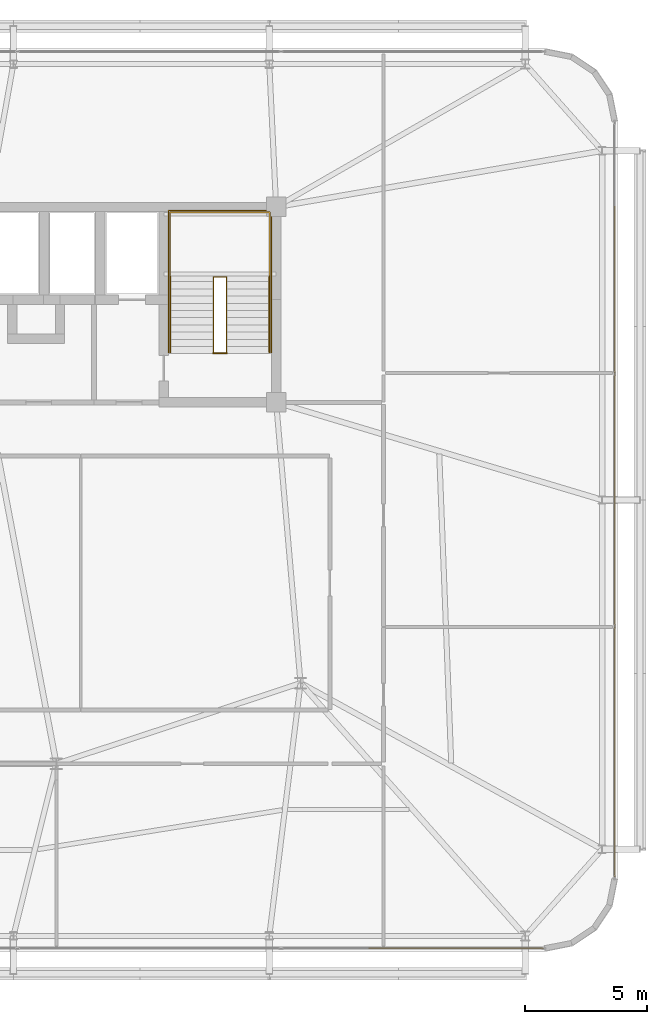
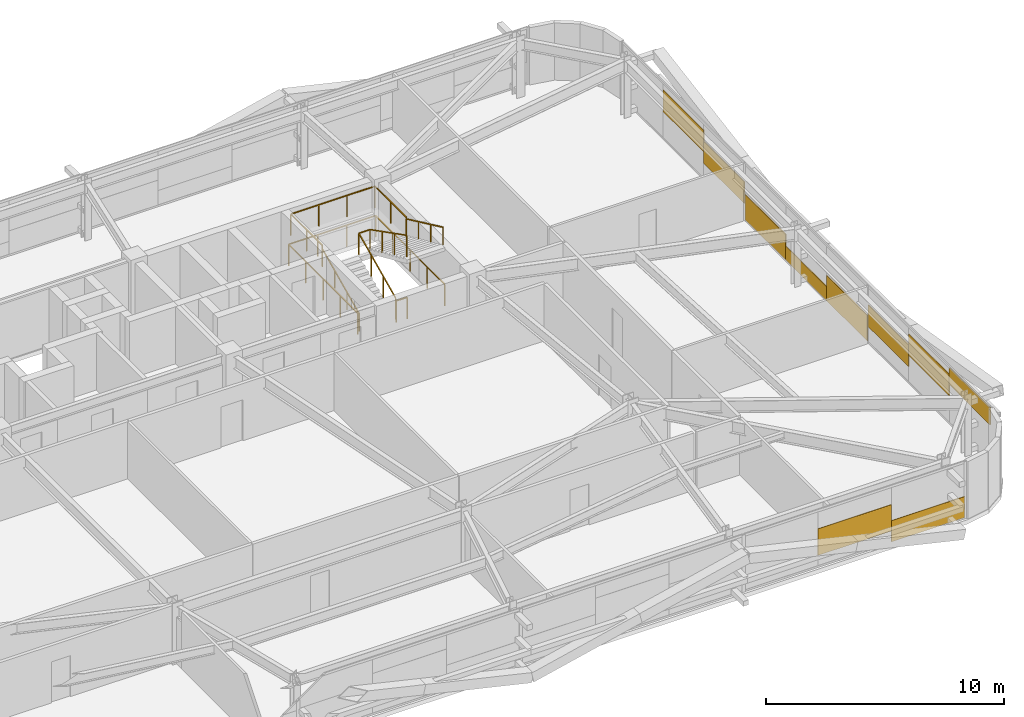
# One storey, part 43 of 44: 10 coverings, 6 railings.
"""IFC4 building model written with IfcOpenShell, lengths in metres."""

from ifc_helpers import new_model, si_unit, direction, frame, origin, origin_2d, place, context, subcontext, project, spatial, rectangle, extrude, source, transform, mapped, material, layer, layer_set, type_object, element, save


model = new_model("IFC4")

# Units and contexts
model_context = context("Model", 3, precision=1e-05, world=origin(), true_north=direction((0.0, 1.0)))
body_context = subcontext(model_context, "Body", "Model", "MODEL_VIEW")
ifc_project = project(units=[si_unit("LENGTHUNIT", "METRE"), si_unit("AREAUNIT", "SQUARE_METRE"), si_unit("VOLUMEUNIT", "CUBIC_METRE"), si_unit("PLANEANGLEUNIT", "RADIAN"), si_unit("MASSUNIT", "GRAM", prefix="KILO")], contexts=[model_context])

# Site, building, storey
site_placement = place(None, origin())
site = spatial("IfcSite", under=ifc_project, at=site_placement, CompositionType="ELEMENT")
building_placement = place(site_placement, origin())
building = spatial("IfcBuilding", under=site, at=building_placement, Name="Taldren Reach Tower", CompositionType="ELEMENT")
storey_placement = place(building_placement, frame((0.0, 0.0, 38.85009765625)))
storey = spatial("IfcBuildingStorey", under=building, at=storey_placement, Name="L11", CompositionType="ELEMENT", Elevation=38.85009765625)

# Railings
ifc_material_1 = material(Name="Steel Gr 350 (C350L0)", Category="steel")
ifc_layer_1 = layer(ifc_material_1, 0.050048828125)
ifc_layer_set_1 = layer_set([ifc_layer_1], Name="Steel Gr 350 (C350L0)")
railing_type_1 = type_object("IfcRailingType", Name="RL-STAIR-GR", PredefinedType="GUARDRAIL", material=ifc_layer_set_1)
railing_1_placement = place(storey_placement, frame((46.659912109375, 29.135009765625, 1.574951171875)))
element("IfcRailing", 1, at=railing_1_placement, inside=storey, type_object=railing_type_1, Name="Stair half-landing perimeter guard ST2-L11", PredefinedType="GUARDRAIL", context=body_context, shape_type="SweptSolid", body=[
    extrude(rectangle(XDim=0.047852, YDim=0.047852, at=origin_2d()), frame((0.0, 0.0, 1.09619140625), z_axis=(0.0, 1.0, 0.0), x_axis=(-1.0, 0.0, 0.0)), (0.0, 0.0, 1.0), 2.64501953125),
    extrude(rectangle(XDim=0.047852, YDim=0.047852, at=origin_2d()), frame((0.0, 2.64501953125, 1.09619140625), z_axis=(1.0, 0.0, 0.0), x_axis=(0.0, 1.0, 0.0)), (0.0, 0.0, 1.0), 4.080078125),
    extrude(rectangle(XDim=0.047852, YDim=0.047852, at=origin_2d()), frame((4.080078125, 2.64501953125, 1.09619140625), z_axis=(0.0, -1.0, 0.0), x_axis=(1.0, 0.0, 0.0)), (0.0, 0.0, 1.0), 2.64501953125),
    extrude(rectangle(XDim=0.041992, YDim=0.041992, at=origin_2d()), origin(), (0.0, 0.0, 1.0), 1.072021484375),
    extrude(rectangle(XDim=0.041992, YDim=0.041992, at=origin_2d()), frame((0.0, 1.322509765625, 0.0)), (0.0, 0.0, 1.0), 1.072021484375),
    extrude(rectangle(XDim=0.041992, YDim=0.041992, at=origin_2d()), frame((0.0, 2.64501953125, 0.0)), (0.0, 0.0, 1.0), 1.072021484375),
    extrude(rectangle(XDim=0.041992, YDim=0.041992, at=origin_2d()), frame((1.360107421875, 2.64501953125, 0.0)), (0.0, 0.0, 1.0), 1.072021484375),
    extrude(rectangle(XDim=0.041992, YDim=0.041992, at=origin_2d()), frame((2.719970703125, 2.64501953125, 0.0)), (0.0, 0.0, 1.0), 1.072021484375),
    extrude(rectangle(XDim=0.041992, YDim=0.041992, at=origin_2d()), frame((4.080078125, 2.64501953125, 0.0)), (0.0, 0.0, 1.0), 1.072021484375),
    extrude(rectangle(XDim=0.041992, YDim=0.041992, at=origin_2d()), frame((4.080078125, 1.322509765625, 0.0)), (0.0, 0.0, 1.0), 1.072021484375),
    extrude(rectangle(XDim=0.041992, YDim=0.041992, at=origin_2d()), frame((4.080078125, 0.0, 0.0)), (0.0, 0.0, 1.0), 1.072021484375),
])
railing_2_placement = place(storey_placement, frame((48.429931640625, 26.050048828125, 0.131103515625)))
element("IfcRailing", 2, at=railing_2_placement, inside=storey, type_object=railing_type_1, Name="Stairwell inner guard ST2-L11", PredefinedType="GUARDRAIL", context=body_context, shape_type="SweptSolid", body=[
    extrude(rectangle(XDim=0.047852, YDim=0.047852, at=origin_2d()), frame((0.0, 0.0, 1.09619140625), z_axis=(0.0, 0.905710134349, 0.423897573167), x_axis=(-1.0, 0.0, 0.0)), (0.0, 0.0, 1.0), 3.406005859375),
    extrude(rectangle(XDim=0.047852, YDim=0.047852, at=origin_2d()), frame((0.0, 3.0849609375, 2.5400390625), z_axis=(1.0, 0.0, 0.0), x_axis=(0.0, 1.0, 0.0)), (0.0, 0.0, 1.0), 0.5400390625),
    extrude(rectangle(XDim=0.047852, YDim=0.047852, at=origin_2d()), frame((0.5400390625, 3.0849609375, 2.5400390625), z_axis=(0.0, -0.890645957773, 0.45469745755), x_axis=(1.0, 0.0, 0.0)), (0.0, 0.0, 1.0), 3.463623046875),
    extrude(rectangle(XDim=0.041992, YDim=0.041992, at=origin_2d()), origin(), (0.0, 0.0, 1.0), 1.072021484375),
    extrude(rectangle(XDim=0.041992, YDim=0.041992, at=origin_2d()), frame((0.0, 1.0283203125, 0.481201171875)), (0.0, 0.0, 1.0), 1.072021484375),
    extrude(rectangle(XDim=0.041992, YDim=0.041992, at=origin_2d()), frame((0.0, 2.056640625, 0.962646484375)), (0.0, 0.0, 1.0), 1.072021484375),
    extrude(rectangle(XDim=0.041992, YDim=0.041992, at=origin_2d()), frame((0.0, 3.0849609375, 1.44384765625)), (0.0, 0.0, 1.0), 1.072021484375),
    extrude(rectangle(XDim=0.041992, YDim=0.041992, at=origin_2d()), frame((0.5400390625, 3.0849609375, 1.44384765625)), (0.0, 0.0, 1.0), 1.072021484375),
    extrude(rectangle(XDim=0.041992, YDim=0.041992, at=origin_2d()), frame((0.5400390625, 2.056640625, 1.96875)), (0.0, 0.0, 1.0), 1.072021484375),
    extrude(rectangle(XDim=0.041992, YDim=0.041992, at=origin_2d()), frame((0.5400390625, 1.0283203125, 2.493896484375)), (0.0, 0.0, 1.0), 1.072021484375),
    extrude(rectangle(XDim=0.041992, YDim=0.041992, at=origin_2d()), frame((0.5400390625, 0.0, 3.018798828125)), (0.0, 0.0, 1.0), 1.072021484375),
])
railing_3_placement = place(storey_placement, frame((48.429931640625, 26.010009765625, 0.0)))
element("IfcRailing", 3, at=railing_3_placement, inside=storey, type_object=railing_type_1, Name="Stairwell landing slot guard ST2-L11", PredefinedType="GUARDRAIL", context=body_context, shape_type="SweptSolid", body=[
    extrude(rectangle(XDim=0.047852, YDim=0.047852, at=origin_2d()), frame((0.0, 0.0, 1.09619140625), z_axis=(1.0, 0.0, 0.0), x_axis=(0.0, 1.0, 0.0)), (0.0, 0.0, 1.0), 0.5400390625),
    extrude(rectangle(XDim=0.041992, YDim=0.041992, at=origin_2d()), origin(), (0.0, 0.0, 1.0), 1.072021484375),
    extrude(rectangle(XDim=0.041992, YDim=0.041992, at=origin_2d()), frame((0.5400390625, 0.0, 0.0)), (0.0, 0.0, 1.0), 1.072021484375),
])
railing_4_placement = place(storey_placement, frame((46.590087890625, 26.050048828125, 0.0)))
element("IfcRailing", 4, at=railing_4_placement, inside=storey, type_object=railing_type_1, Name="Stairwell floor opening guard ST2-L11", PredefinedType="GUARDRAIL", context=body_context, shape_type="SweptSolid", body=[
    extrude(rectangle(XDim=0.047852, YDim=0.047852, at=origin_2d()), frame((0.0, 0.0, 1.09619140625), z_axis=(0.0, 1.0, 0.0), x_axis=(-1.0, 0.0, 0.0)), (0.0, 0.0, 1.0), 5.800048828125),
    extrude(rectangle(XDim=0.047852, YDim=0.047852, at=origin_2d()), frame((0.0, 5.800048828125, 1.09619140625), z_axis=(1.0, 0.0, 0.0), x_axis=(0.0, 1.0, 0.0)), (0.0, 0.0, 1.0), 4.219970703125),
    extrude(rectangle(XDim=0.047852, YDim=0.047852, at=origin_2d()), frame((4.219970703125, 5.800048828125, 1.09619140625), z_axis=(0.0, -1.0, 0.0), x_axis=(1.0, 0.0, 0.0)), (0.0, 0.0, 1.0), 5.800048828125),
    extrude(rectangle(XDim=0.041992, YDim=0.041992, at=origin_2d()), origin(), (0.0, 0.0, 1.0), 1.072021484375),
    extrude(rectangle(XDim=0.041992, YDim=0.041992, at=origin_2d()), frame((0.0, 1.449951171875, 0.0)), (0.0, 0.0, 1.0), 1.072021484375),
    extrude(rectangle(XDim=0.041992, YDim=0.041992, at=origin_2d()), frame((0.0, 2.89990234375, 0.0)), (0.0, 0.0, 1.0), 1.072021484375),
    extrude(rectangle(XDim=0.041992, YDim=0.041992, at=origin_2d()), frame((0.0, 4.35009765625, 0.0)), (0.0, 0.0, 1.0), 1.072021484375),
    extrude(rectangle(XDim=0.041992, YDim=0.041992, at=origin_2d()), frame((0.0, 5.800048828125, 0.0)), (0.0, 0.0, 1.0), 1.072021484375),
    extrude(rectangle(XDim=0.041992, YDim=0.041992, at=origin_2d()), frame((1.40673828125, 5.800048828125, 0.0)), (0.0, 0.0, 1.0), 1.072021484375),
    extrude(rectangle(XDim=0.041992, YDim=0.041992, at=origin_2d()), frame((2.813232421875, 5.800048828125, 0.0)), (0.0, 0.0, 1.0), 1.072021484375),
    extrude(rectangle(XDim=0.041992, YDim=0.041992, at=origin_2d()), frame((4.219970703125, 5.800048828125, 0.0)), (0.0, 0.0, 1.0), 1.072021484375),
    extrude(rectangle(XDim=0.041992, YDim=0.041992, at=origin_2d()), frame((4.219970703125, 4.35009765625, 0.0)), (0.0, 0.0, 1.0), 1.072021484375),
    extrude(rectangle(XDim=0.041992, YDim=0.041992, at=origin_2d()), frame((4.219970703125, 2.89990234375, 0.0)), (0.0, 0.0, 1.0), 1.072021484375),
    extrude(rectangle(XDim=0.041992, YDim=0.041992, at=origin_2d()), frame((4.219970703125, 1.449951171875, 0.0)), (0.0, 0.0, 1.0), 1.072021484375),
    extrude(rectangle(XDim=0.041992, YDim=0.041992, at=origin_2d()), frame((4.219970703125, 0.0, 0.0)), (0.0, 0.0, 1.0), 1.072021484375),
])
ifc_material_2 = material(Name="Stainless Steel Gr 316", Category="steel")
ifc_layer_2 = layer(ifc_material_2, 0.048095703125)
ifc_layer_set_2 = layer_set([ifc_layer_2], Name="Stainless Steel Gr 316")
railing_type_2 = type_object("IfcRailingType", Name="RL-STAIR-HR", PredefinedType="HANDRAIL", material=ifc_layer_set_2)
railing_5_placement = place(storey_placement, frame((46.669921875, 26.050048828125, 0.131103515625)))
element("IfcRailing", 5, at=railing_5_placement, inside=storey, type_object=railing_type_2, Name="Stair flight handrail ST2-L11-1", PredefinedType="HANDRAIL", context=body_context, shape_type="SweptSolid", body=[
    extrude(rectangle(XDim=0.047852, YDim=0.047852, at=origin_2d()), frame((0.0, 0.0, 0.89599609375), z_axis=(0.0, 0.905710134349, 0.423897573167), x_axis=(-1.0, 0.0, 0.0)), (0.0, 0.0, 1.0), 3.406005859375),
    extrude(rectangle(XDim=0.041992, YDim=0.041992, at=origin_2d()), origin(), (0.0, 0.0, 1.0), 0.871826171875),
    extrude(rectangle(XDim=0.041992, YDim=0.041992, at=origin_2d()), frame((0.0, 1.0283203125, 0.481201171875)), (0.0, 0.0, 1.0), 0.871826171875),
    extrude(rectangle(XDim=0.041992, YDim=0.041992, at=origin_2d()), frame((0.0, 2.056640625, 0.962646484375)), (0.0, 0.0, 1.0), 0.871826171875),
    extrude(rectangle(XDim=0.041992, YDim=0.041992, at=origin_2d()), frame((0.0, 3.0849609375, 1.44384765625)), (0.0, 0.0, 1.0), 0.871826171875),
])
railing_6_placement = place(storey_placement, frame((50.72998046875, 29.135009765625, 1.7060546875)))
element("IfcRailing", 6, at=railing_6_placement, inside=storey, type_object=railing_type_2, Name="Stair flight handrail ST2-L11-2", PredefinedType="HANDRAIL", context=body_context, shape_type="SweptSolid", body=[
    extrude(rectangle(XDim=0.047852, YDim=0.047852, at=origin_2d()), frame((0.0, 0.0, 0.89599609375), z_axis=(0.0, -0.905710134349, 0.423897573167), x_axis=(1.0, 0.0, 0.0)), (0.0, 0.0, 1.0), 3.406005859375),
    extrude(rectangle(XDim=0.041992, YDim=0.041992, at=origin_2d()), origin(), (0.0, 0.0, 1.0), 0.871826171875),
    extrude(rectangle(XDim=0.041992, YDim=0.041992, at=origin_2d()), frame((0.0, -1.0283203125, 0.481201171875)), (0.0, 0.0, 1.0), 0.871826171875),
    extrude(rectangle(XDim=0.041992, YDim=0.041992, at=origin_2d()), frame((0.0, -2.056640625, 0.962646484375)), (0.0, 0.0, 1.0), 0.871826171875),
    extrude(rectangle(XDim=0.041992, YDim=0.041992, at=origin_2d()), frame((0.0, -3.0849609375, 1.44384765625)), (0.0, 0.0, 1.0), 0.871826171875),
])

# Coverings
ifc_material_3 = material(Name="Pale Champagne Fluoropolymer Aluminium Spandrel Cladding", Category="aluminium")
ifc_layer_3 = layer(ifc_material_3, 0.0439453125)
ifc_layer_set_3 = layer_set([ifc_layer_3], Name="Pale Champagne Fluoropolymer Aluminium Spandrel Cladding")
covering_type = type_object("IfcCoveringType", Name="CV-CLAD-044", PredefinedType="CLADDING", material=ifc_layer_set_3)
shared_shape_1 = source(origin(), body_context, "Body", "SweptSolid", [
    extrude(rectangle(XDim=3.5673828125, YDim=0.0439453125, at=origin_2d()), origin(), (0.0, 0.0, 1.0), 1.088623046875),
])
covering_1_placement = place(storey_placement, frame((60.1513671875, 1.639892578125, 0.0546875), z_axis=(0.0, 0.0, 1.0), x_axis=(1.0, 0.0, 0.0)))
element("IfcCovering", 7, at=covering_1_placement, inside=storey, type_object=covering_type, Name="Diagrid closure cladding strip CW-2 panel 5.1 3", PredefinedType="CLADDING", context=body_context, shape_type="MappedRepresentation", body=[
    mapped(shared_shape_1, transform((0.0, 0.0, 0.0), scale=1.0)),
])
shared_shape_2 = source(origin(), body_context, "Body", "SweptSolid", [
    extrude(rectangle(XDim=3.5673828125, YDim=0.0439453125, at=origin_2d()), origin(), (0.0, 0.0, 1.0), 1.36083984375),
])
covering_2_placement = place(storey_placement, frame((56.583740234375, 1.639892578125, 0.60986328125), z_axis=(0.0, 0.0, 1.0), x_axis=(1.0, 0.0, 0.0)))
element("IfcCovering", 8, at=covering_2_placement, inside=storey, type_object=covering_type, Name="Diagrid closure cladding strip CW-2 panel 5.1 2", PredefinedType="CLADDING", context=body_context, shape_type="MappedRepresentation", body=[
    mapped(shared_shape_2, transform((0.0, 0.0, 0.0), scale=1.0)),
])
shared_shape_3 = source(origin(), body_context, "Body", "SweptSolid", [
    extrude(rectangle(XDim=3.411865234375, YDim=0.0439453125, at=origin_2d()), origin(), (0.0, 0.0, 1.0), 0.87548828125),
])
covering_3_placement = place(storey_placement, frame((64.860107421875, 6.27099609375, 1.999267578125), z_axis=(0.0, 0.0, 1.0), x_axis=(0.0, 1.0, 0.0)))
element("IfcCovering", 9, at=covering_3_placement, inside=storey, type_object=covering_type, Name="Diagrid closure cladding strip CW-2 panel 1.1 1", PredefinedType="CLADDING", context=body_context, shape_type="MappedRepresentation", body=[
    mapped(shared_shape_3, transform((0.0, 0.0, 0.0), scale=1.0)),
])
shared_shape_4 = source(origin(), body_context, "Body", "SweptSolid", [
    extrude(rectangle(XDim=3.411865234375, YDim=0.0439453125, at=origin_2d()), origin(), (0.0, 0.0, 1.0), 1.107177734375),
])
for number, where, z_axis, x_axis, name in (
    (10, (64.860107421875, 9.682861328125, 1.41943359375), (0.0, 0.0, 1.0), (0.0, 1.0, 0.0), "Diagrid closure cladding strip CW-2 panel 1.1 2"),
    (11, (64.860107421875, 13.094970703125, 0.83984375), (0.0, 0.0, 1.0), (0.0, 1.0, 0.0), "Diagrid closure cladding strip CW-2 panel 1.1 3"),
    (12, (64.860107421875, 26.905029296875, 0.83984375), (0.0, 0.0, 1.0), (0.0, 1.0, 0.0), "Diagrid closure cladding strip CW-2 panel 3.1 1"),
    (13, (64.860107421875, 30.317138671875, 1.41943359375), (0.0, 0.0, 1.0), (0.0, 1.0, 0.0), "Diagrid closure cladding strip CW-2 panel 3.1 2"),
):
    element("IfcCovering", number, at=place(storey_placement, frame(where, z_axis=z_axis, x_axis=x_axis)), inside=storey, type_object=covering_type, Name=name, PredefinedType="CLADDING", context=body_context, shape_type="MappedRepresentation", body=[
        mapped(shared_shape_4, transform((0.0, 0.0, 0.0), scale=1.0)),
    ])
shared_shape_5 = source(origin(), body_context, "Body", "SweptSolid", [
    extrude(rectangle(XDim=3.4228515625, YDim=0.0439453125, at=origin_2d()), origin(), (0.0, 0.0, 1.0), 1.301025390625),
])
for number, where, z_axis, x_axis, name in (
    (14, (64.860107421875, 16.5771484375, 0.05517578125), (0.0, 0.0, 1.0), (0.0, 1.0, 0.0), "Diagrid closure cladding strip CW-2 panel 2.1 1"),
    (15, (64.860107421875, 23.4228515625, 0.05517578125), (0.0, 0.0, 1.0), (0.0, 1.0, 0.0), "Diagrid closure cladding strip CW-2 panel 2.1 3"),
):
    element("IfcCovering", number, at=place(storey_placement, frame(where, z_axis=z_axis, x_axis=x_axis)), inside=storey, type_object=covering_type, Name=name, PredefinedType="CLADDING", context=body_context, shape_type="MappedRepresentation", body=[
        mapped(shared_shape_5, transform((0.0, 0.0, 0.0), scale=1.0)),
    ])
shared_shape_6 = source(origin(), body_context, "Body", "SweptSolid", [
    extrude(rectangle(XDim=3.4228515625, YDim=0.0439453125, at=origin_2d()), origin(), (0.0, 0.0, 1.0), 0.719482421875),
])
covering_4_placement = place(storey_placement, frame((64.860107421875, 20.0, 0.0546875), z_axis=(0.0, 0.0, 1.0), x_axis=(0.0, 1.0, 0.0)))
element("IfcCovering", 16, at=covering_4_placement, inside=storey, type_object=covering_type, Name="Diagrid closure cladding strip CW-2 panel 2.1 2", PredefinedType="CLADDING", context=body_context, shape_type="MappedRepresentation", body=[
    mapped(shared_shape_6, transform((0.0, 0.0, 0.0), scale=1.0)),
])

save(model, "model.ifc")
